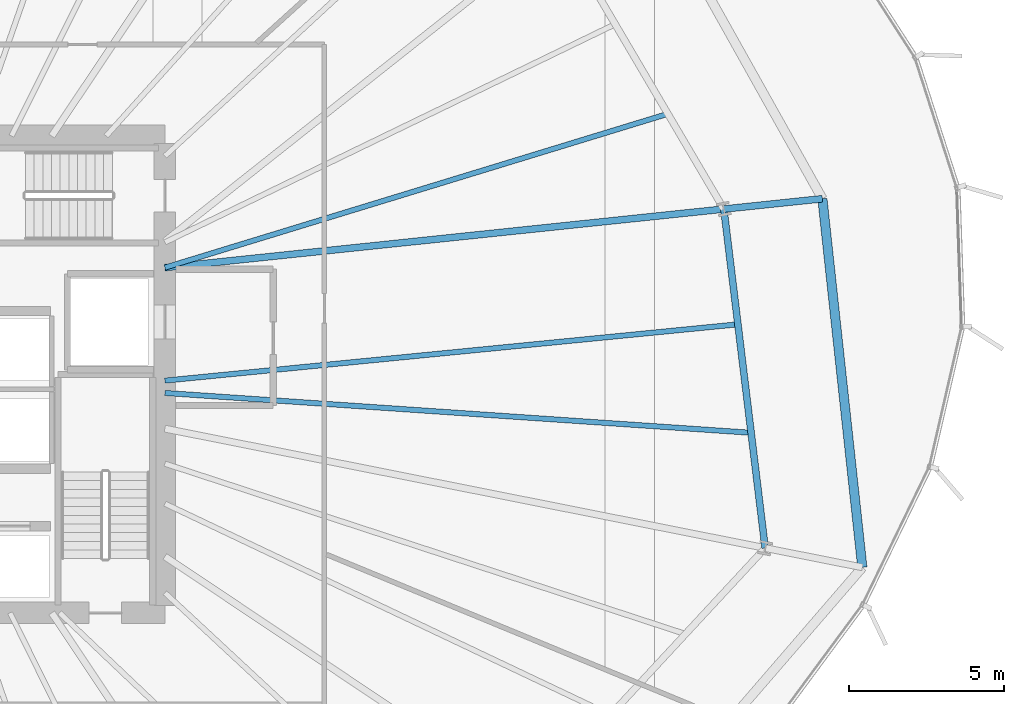
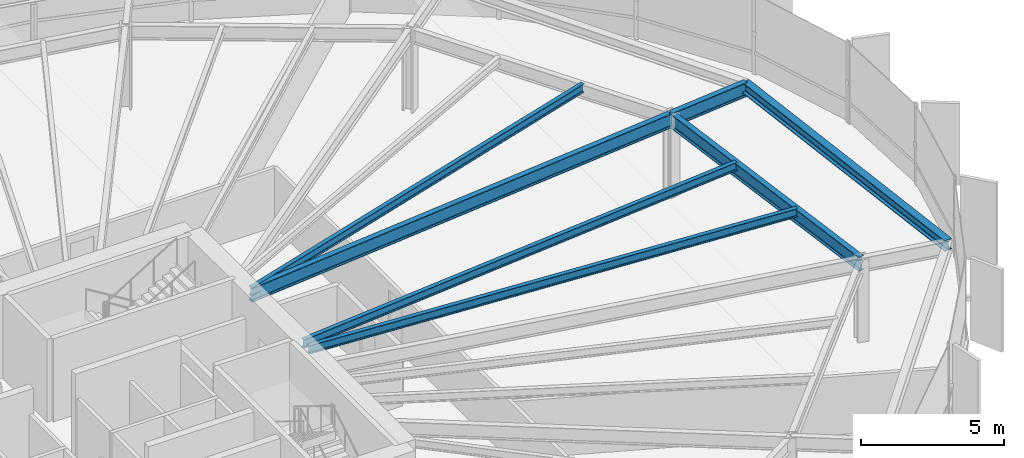
# One storey, part 15 of 35: 7 beams.
"""IFC4 building model written with IfcOpenShell, lengths in metres."""

from ifc_helpers import new_model, si_unit, direction, frame, origin, origin_2d, place, context, subcontext, project, spatial, i_section, extrude, source, transform, mapped, material, material_profile, profile_set, type_object, element, save


model = new_model("IFC4")

# Units and contexts
model_context = context("Model", 3, precision=1e-05, world=origin(), true_north=direction((0.0, 1.0)))
body_context = subcontext(model_context, "Body", "Model", "MODEL_VIEW")
ifc_project = project(units=[si_unit("LENGTHUNIT", "METRE"), si_unit("AREAUNIT", "SQUARE_METRE"), si_unit("VOLUMEUNIT", "CUBIC_METRE"), si_unit("PLANEANGLEUNIT", "RADIAN"), si_unit("MASSUNIT", "GRAM", prefix="KILO"), si_unit("THERMODYNAMICTEMPERATUREUNIT", "KELVIN")], contexts=[model_context])

# Site, building, storey
site_placement = place(None, origin())
site = spatial("IfcSite", under=ifc_project, at=site_placement, CompositionType="ELEMENT")
building_placement = place(site_placement, origin())
building = spatial("IfcBuilding", under=site, at=building_placement, Name="Kethvar Cultural Tower", CompositionType="ELEMENT")
storey_placement = place(building_placement, frame((0.0, 0.0, 71.39990234375)))
storey = spatial("IfcBuildingStorey", under=building, at=storey_placement, Name="L17", CompositionType="ELEMENT", Elevation=71.39990234375)

# Beams
ifc_material = material(Name="Steel S355J2", Category="steel")
ifc_material_profile_1 = material_profile(ifc_material, i_section(OverallWidth=0.219970703125, OverallDepth=0.60009765625, WebThickness=0.011962890625, FlangeThickness=0.01904296875, FilletRadius=0.02392578125, at=origin_2d()), Name="Steel S355J2 — IPE600")
ifc_profile_set_1 = profile_set([ifc_material_profile_1], Name="Steel S355J2 — IPE600")
beam_type_1 = type_object("IfcBeamType", Name="BM-IPE600", PredefinedType="BEAM", material=ifc_profile_set_1)
shared_shape_1 = source(origin(), body_context, "Body", "SweptSolid", [
    extrude(i_section(OverallWidth=0.219970703125, OverallDepth=0.60009765625, WebThickness=0.011962890625, FlangeThickness=0.01904296875, FilletRadius=0.02392578125, at=origin_2d()), origin(), (0.0, 0.0, 1.0), 18.155517578125),
])
beam_1_placement = place(storey_placement, frame((55.60009765625, 31.25, 3.238037109375), z_axis=(0.994554710129, 0.104215778847, 0.0), x_axis=(-0.104215778847, 0.994554710129, 0.0)))
element("IfcBeam", 1, at=beam_1_placement, inside=storey, type_object=beam_type_1, Name="L17 Primary Radial Beam RB-01", PredefinedType="BEAM", context=body_context, shape_type="MappedRepresentation", body=[
    mapped(shared_shape_1, transform((0.0, 0.0, 0.0), scale=1.0)),
])
shared_shape_2 = source(origin(), body_context, "Body", "SweptSolid", [
    extrude(i_section(OverallWidth=0.219970703125, OverallDepth=0.60009765625, WebThickness=0.011962890625, FlangeThickness=0.01904296875, FilletRadius=0.02392578125, at=origin_2d()), origin(), (0.0, 0.0, 1.0), 3.199951171875),
])
beam_2_placement = place(storey_placement, frame((73.65673828125, 33.14208984375, 3.238037109375), z_axis=(0.994554671638, 0.104216146169, 0.0), x_axis=(-0.104216146169, 0.994554671638, 0.0)))
element("IfcBeam", 2, at=beam_2_placement, inside=storey, type_object=beam_type_1, Name="L17 Perimeter Cantilever Beam RC-01", PredefinedType="BEAM", context=body_context, shape_type="MappedRepresentation", body=[
    mapped(shared_shape_2, transform((0.0, 0.0, 0.0), scale=1.0)),
])
ifc_material_profile_2 = material_profile(ifc_material, i_section(OverallWidth=0.169921875, OverallDepth=0.360107421875, WebThickness=0.008056640625, FlangeThickness=0.0126953125, FilletRadius=0.01806640625, at=origin_2d()), Name="Steel S355J2 — IPE360")
ifc_profile_set_2 = profile_set([ifc_material_profile_2], Name="Steel S355J2 — IPE360")
beam_type_2 = type_object("IfcBeamType", Name="BM-J360", PredefinedType="JOIST", material=ifc_profile_set_2)
shared_shape_3 = source(origin(), body_context, "Body", "SweptSolid", [
    extrude(i_section(OverallWidth=0.169921875, OverallDepth=0.360107421875, WebThickness=0.008056640625, FlangeThickness=0.0126953125, FilletRadius=0.01806640625, at=origin_2d()), origin(), (0.0, 0.0, 1.0), 16.990478515625),
])
beam_3_placement = place(storey_placement, frame((55.60009765625, 31.25, 3.358154296875), z_axis=(0.956287408668, 0.292428439149, 0.0), x_axis=(-0.292428439149, 0.956287408668, 0.0)))
element("IfcBeam", 3, at=beam_3_placement, inside=storey, type_object=beam_type_2, Name="L17 Composite Floor Joist J-01A", PredefinedType="JOIST", context=body_context, shape_type="MappedRepresentation", body=[
    mapped(shared_shape_3, transform((0.0, 0.0, 0.0), scale=1.0)),
])
shared_shape_4 = source(origin(), body_context, "Body", "SweptSolid", [
    extrude(i_section(OverallWidth=0.219970703125, OverallDepth=0.60009765625, WebThickness=0.011962890625, FlangeThickness=0.01904296875, FilletRadius=0.02392578125, at=origin_2d()), origin(), (0.0, 0.0, 1.0), 11.03076171875),
])
beam_4_placement = place(storey_placement, frame((74.9912109375, 22.1923828125, 3.238037109375), z_axis=(-0.120977779442, 0.992655215511, 0.0), x_axis=(-0.992655215511, -0.120977779442, 0.0)))
element("IfcBeam", 4, at=beam_4_placement, inside=storey, type_object=beam_type_1, Name="L17 Column Ring Tie Beam CR-16", PredefinedType="BEAM", context=body_context, shape_type="MappedRepresentation", body=[
    mapped(shared_shape_4, transform((0.0, 0.0, 0.0), scale=1.0)),
])
shared_shape_5 = source(origin(), body_context, "Body", "SweptSolid", [
    extrude(i_section(OverallWidth=0.169921875, OverallDepth=0.360107421875, WebThickness=0.008056640625, FlangeThickness=0.0126953125, FilletRadius=0.01806640625, at=origin_2d()), origin(), (0.0, 0.0, 1.0), 18.981201171875),
])
beam_5_placement = place(storey_placement, frame((55.60009765625, 27.2021484375, 3.358154296875), z_axis=(0.997699141247, -0.067796928805, 0.0), x_axis=(0.067796928805, 0.997699141247, 0.0)))
element("IfcBeam", 5, at=beam_5_placement, inside=storey, type_object=beam_type_2, Name="L17 Composite Floor Joist J-16A", PredefinedType="JOIST", context=body_context, shape_type="MappedRepresentation", body=[
    mapped(shared_shape_5, transform((0.0, 0.0, 0.0), scale=1.0)),
])
shared_shape_6 = source(origin(), body_context, "Body", "SweptSolid", [
    extrude(i_section(OverallWidth=0.169921875, OverallDepth=0.360107421875, WebThickness=0.008056640625, FlangeThickness=0.0126953125, FilletRadius=0.01806640625, at=origin_2d()), origin(), (0.0, 0.0, 1.0), 18.599609375),
])
beam_6_placement = place(storey_placement, frame((55.60009765625, 27.60009765625, 3.358154296875), z_axis=(0.995205855092, 0.097802382335, 0.0), x_axis=(-0.097802382335, 0.995205855092, 0.0)))
element("IfcBeam", 6, at=beam_6_placement, inside=storey, type_object=beam_type_2, Name="L17 Composite Floor Joist J-16B", PredefinedType="JOIST", context=body_context, shape_type="MappedRepresentation", body=[
    mapped(shared_shape_6, transform((0.0, 0.0, 0.0), scale=1.0)),
])
ifc_material_profile_3 = material_profile(ifc_material, i_section(OverallWidth=0.300048828125, OverallDepth=0.449951171875, WebThickness=0.013916015625, FlangeThickness=0.02587890625, FilletRadius=0.027099609375, at=origin_2d()), Name="Steel S355J2 — HEB450")
ifc_profile_set_3 = profile_set([ifc_material_profile_3], Name="Steel S355J2 — HEB450")
beam_type_3 = type_object("IfcBeamType", Name="BM-SP450", PredefinedType="SPANDREL", material=ifc_profile_set_3)
shared_shape_7 = source(origin(), body_context, "Body", "SweptSolid", [
    extrude(i_section(OverallWidth=0.300048828125, OverallDepth=0.449951171875, WebThickness=0.013916015625, FlangeThickness=0.02587890625, FilletRadius=0.027099609375, at=origin_2d()), origin(), (0.0, 0.0, 1.0), 11.977294921875),
])
beam_7_placement = place(storey_placement, frame((78.129638671875, 21.568115234375, 3.31298828125), z_axis=(-0.107728520761, 0.994180348737, 0.0), x_axis=(-0.994180348737, -0.107728520761, 0.0)))
element("IfcBeam", 7, at=beam_7_placement, inside=storey, type_object=beam_type_3, Name="L17 Perimeter Spandrel Beam SP-16", PredefinedType="SPANDREL", context=body_context, shape_type="MappedRepresentation", body=[
    mapped(shared_shape_7, transform((0.0, 0.0, 0.0), scale=1.0)),
])

save(model, "model.ifc")
